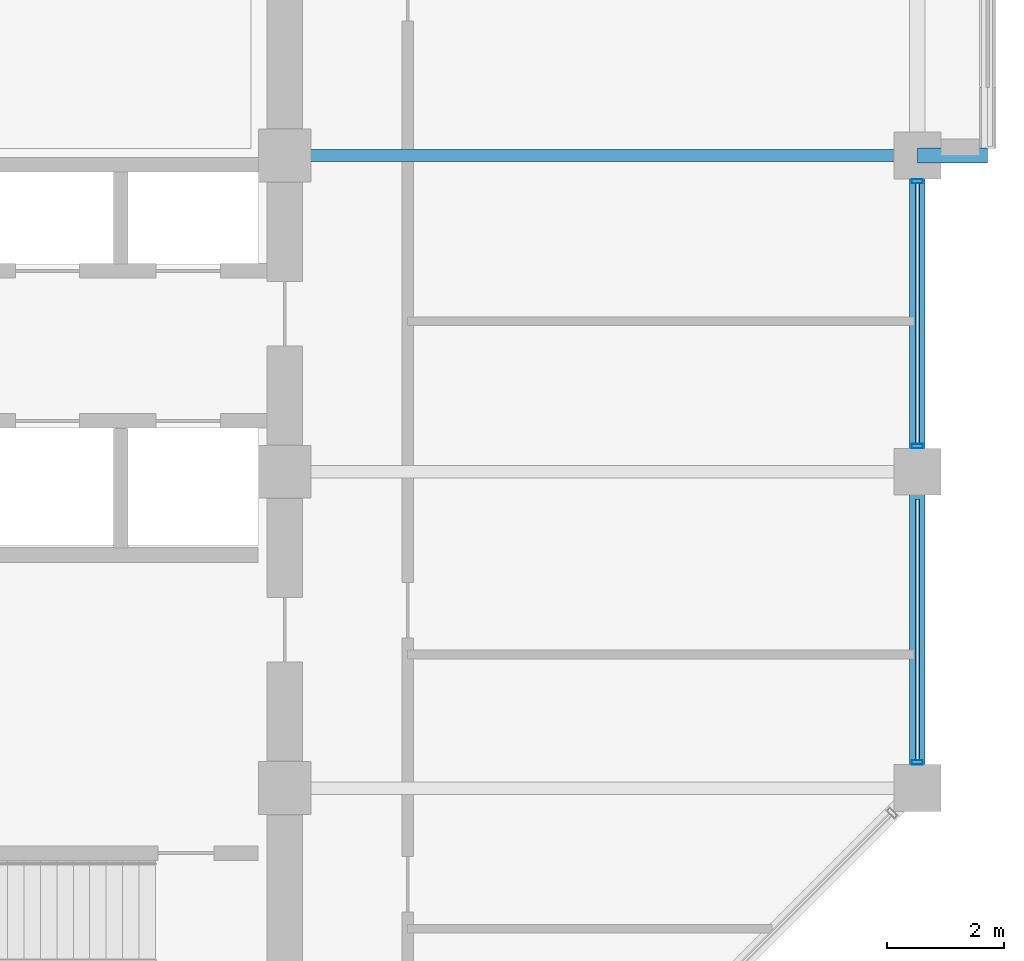
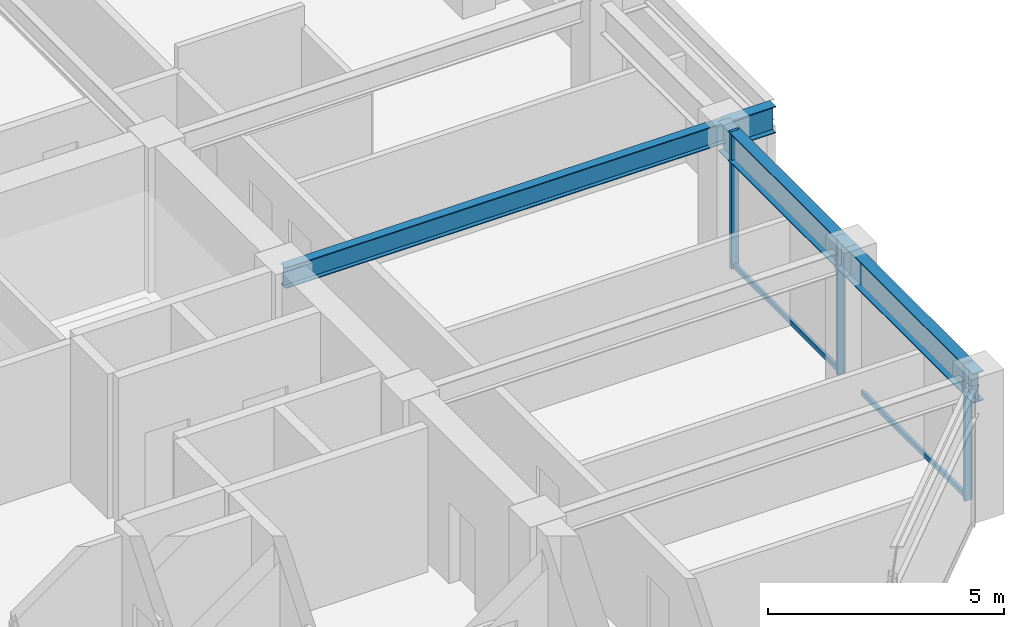
# One storey, part 12 of 30: 5 members, 4 beams, 1 element without a shape of its own.
"""IFC4 building model written with IfcOpenShell, lengths in metres."""

from ifc_helpers import new_model, si_unit, direction, frame, origin, origin_2d, place, context, subcontext, project, spatial, hollow_rectangle, i_section, extrude, material, layer, layer_set, material_profile, profile_set, type_object, element, aggregate, save


model = new_model("IFC4")

# Units and contexts
model_context = context("Model", 3, precision=1e-05, world=origin(), true_north=direction((0.0, 1.0)))
body_context = subcontext(model_context, "Body", "Model", "MODEL_VIEW")
ifc_project = project(units=[si_unit("LENGTHUNIT", "METRE"), si_unit("AREAUNIT", "SQUARE_METRE"), si_unit("VOLUMEUNIT", "CUBIC_METRE"), si_unit("PLANEANGLEUNIT", "RADIAN"), si_unit("MASSUNIT", "GRAM", prefix="KILO")], contexts=[model_context])

# Site, building, storey
site_placement = place(None, origin())
site = spatial("IfcSite", under=ifc_project, at=site_placement, CompositionType="ELEMENT")
building_placement = place(site_placement, origin())
building = spatial("IfcBuilding", under=site, at=building_placement, Name="Surkhivell Harbour Commons", CompositionType="ELEMENT")
storey_placement = place(building_placement, frame((0.0, 0.0, 231.0)))
storey = spatial("IfcBuildingStorey", under=building, at=storey_placement, Name="L60", CompositionType="ELEMENT", Elevation=231.0)

# Beams
ifc_material_1 = material(Name="Steel S460", Category="steel")
ifc_material_profile_1 = material_profile(ifc_material_1, i_section(OverallWidth=0.256103515625, OverallDepth=0.693115234375, WebThickness=0.014404296875, FlangeThickness=0.023681640625, at=origin_2d()), Name="UB686x254x170")
ifc_profile_set_1 = profile_set([ifc_material_profile_1], Name="Steel S460")
beam_type_1 = type_object("IfcBeamType", Name="BM-CNT-686", PredefinedType="BEAM", material=ifc_profile_set_1)
beam_1_placement = place(storey_placement, frame((21.60009765625, 5.39990234375, 3.223388671875), z_axis=(1.0, 0.0, 0.0), x_axis=(0.0, 1.0, 0.0)))
element("IfcBeam", 1, at=beam_1_placement, inside=storey, type_object=beam_type_1, Name="L60 Box Cantilever Outrigger (21.6,5.4)", PredefinedType="BEAM", context=body_context, shape_type="SweptSolid", body=[
    extrude(i_section(OverallWidth=0.256103515625, OverallDepth=0.693115234375, WebThickness=0.014404296875, FlangeThickness=0.023681640625, at=origin_2d()), origin(), (0.0, 0.0, 1.0), 1.199951171875),
])
ifc_material_2 = material(Name="Steel S355", Category="steel")
ifc_material_profile_2 = material_profile(ifc_material_2, i_section(OverallWidth=0.2119140625, OverallDepth=0.5439453125, WebThickness=0.0126953125, FlangeThickness=0.021240234375, at=origin_2d()), Name="UB533x210x122")
ifc_profile_set_2 = profile_set([ifc_material_profile_2], Name="Steel S355")
beam_type_2 = type_object("IfcBeamType", Name="BM-GRD-533A", PredefinedType="BEAM", material=ifc_profile_set_2)
beam_2_placement = place(storey_placement, frame((10.800048828125, 5.39990234375, 3.298095703125), z_axis=(1.0, 0.0, 0.0), x_axis=(0.0, 1.0, 0.0)))
element("IfcBeam", 2, at=beam_2_placement, inside=storey, type_object=beam_type_2, Name="L60 Floor Girder (10.8,5.4)", PredefinedType="BEAM", context=body_context, shape_type="SweptSolid", body=[
    extrude(i_section(OverallWidth=0.2119140625, OverallDepth=0.5439453125, WebThickness=0.0126953125, FlangeThickness=0.021240234375, at=origin_2d()), origin(), (0.0, 0.0, 1.0), 10.800048828125),
])
ifc_material_profile_3 = material_profile(ifc_material_2, i_section(OverallWidth=0.26806640625, OverallDepth=0.77001953125, WebThickness=0.015625, FlangeThickness=0.025390625, at=origin_2d()), Name="UB762x267x197")
ifc_profile_set_3 = profile_set([ifc_material_profile_3], Name="Steel S355")
beam_type_3 = type_object("IfcBeamType", Name="BM-SPN-762", PredefinedType="SPANDREL", material=ifc_profile_set_3)
for number, where, z_axis, x_axis, name in (
    (3, (21.60009765625, -5.39990234375, 3.18505859375), (0.0, 1.0, 0.0), (-1.0, 0.0, 0.0), "L60 Tube Spandrel (21.6,-5.4)"),
    (4, (21.60009765625, 0.0, 3.18505859375), (0.0, 1.0, 0.0), (-1.0, 0.0, 0.0), "L60 Tube Spandrel (21.6,0.0)"),
):
    element("IfcBeam", number, at=place(storey_placement, frame(where, z_axis=z_axis, x_axis=x_axis)), inside=storey, type_object=beam_type_3, Name=name, PredefinedType="SPANDREL", context=body_context, shape_type="SweptSolid", body=[
        extrude(i_section(OverallWidth=0.26806640625, OverallDepth=0.77001953125, WebThickness=0.015625, FlangeThickness=0.025390625, at=origin_2d()), origin(), (0.0, 0.0, 1.0), 5.39990234375),
    ])

# Curtain wall, members
ifc_material_3 = material(Name="Anodised pale-metal aluminium and insulated glazing", Category="aluminium")
ifc_layer = layer(ifc_material_3, 0.18994140625)
ifc_layer_set = layer_set([ifc_layer], Name="Anodised pale-metal aluminium and insulated glazing")
curtain_wall_type = type_object("IfcCurtainWallType", Name="CW-SYS-Z3", PredefinedType="NOTDEFINED", material=ifc_layer_set)
curtain_wall_placement = place(storey_placement, origin())
curtain_wall = element("IfcCurtainWall", 5, at=curtain_wall_placement, inside=storey, type_object=curtain_wall_type, Name="L60 Curtain Wall CW-L60-E02R1", PredefinedType="NOTDEFINED")
ifc_material_4 = material(Name="Anodised pale-metal aluminium alloy 6063-T6", Category="aluminium")
ifc_material_profile_4 = material_profile(ifc_material_4, hollow_rectangle(XDim=0.074951171875, YDim=0.18994140625, WallThickness=0.00390625, at=origin_2d()), Name="ALU-MULL-75x190")
ifc_profile_set_4 = profile_set([ifc_material_profile_4], Name="Anodised pale-metal aluminium alloy 6063-T6")
member_type_1 = type_object("IfcMemberType", Name="CWM-190", PredefinedType="MULLION", material=ifc_profile_set_4)
member_1_placement = place(storey_placement, frame((21.60009765625, -4.96044921875, 0.0), z_axis=(0.0, 0.0, 1.0), x_axis=(0.0, 1.0, 0.0)))
member_1 = element("IfcMember", 6, at=member_1_placement, type_object=member_type_1, Name="CW-Z3 mullion 1", PredefinedType="MULLION", context=body_context, shape_type="SweptSolid", body=[
    extrude(hollow_rectangle(XDim=0.074951171875, YDim=0.18994140625, WallThickness=0.00390625, at=origin_2d()), origin(), (0.0, 0.0, 1.0), 3.570068359375),
])
member_2_placement = place(storey_placement, frame((21.60009765625, 0.439453125, 0.0), z_axis=(0.0, 0.0, 1.0), x_axis=(0.0, 1.0, 0.0)))
member_2 = element("IfcMember", 7, at=member_2_placement, type_object=member_type_1, Name="CW-Z3 mullion 2", PredefinedType="MULLION", context=body_context, shape_type="SweptSolid", body=[
    extrude(hollow_rectangle(XDim=0.074951171875, YDim=0.18994140625, WallThickness=0.00390625, at=origin_2d()), origin(), (0.0, 0.0, 1.0), 3.570068359375),
])
member_3_placement = place(storey_placement, frame((21.60009765625, 4.96044921875, 0.0), z_axis=(0.0, 0.0, 1.0), x_axis=(0.0, 1.0, 0.0)))
member_3 = element("IfcMember", 8, at=member_3_placement, type_object=member_type_1, Name="CW-Z3 mullion 3", PredefinedType="MULLION", context=body_context, shape_type="SweptSolid", body=[
    extrude(hollow_rectangle(XDim=0.074951171875, YDim=0.18994140625, WallThickness=0.00390625, at=origin_2d()), origin(), (0.0, 0.0, 1.0), 3.570068359375),
])
ifc_material_5 = material(Name="Champagne anodised aluminium alloy 6063-T6", Category="aluminium")
ifc_material_profile_5 = material_profile(ifc_material_5, hollow_rectangle(XDim=0.070068359375, YDim=0.1298828125, WallThickness=0.00341796875, at=origin_2d()), Name="ALU-TRAN-70x130")
ifc_profile_set_5 = profile_set([ifc_material_profile_5], Name="Champagne anodised aluminium alloy 6063-T6")
member_type_2 = type_object("IfcMemberType", Name="CWT-130", PredefinedType="USERDEFINED", material=ifc_profile_set_5)
member_4_placement = place(storey_placement, frame((21.60009765625, -4.923095703125, 0.06494140625), z_axis=(0.0, 1.0, 0.0), x_axis=(-1.0, 0.0, 0.0)))
member_4 = element("IfcMember", 9, at=member_4_placement, type_object=member_type_2, Name="CW-Z3 transom 1.1", ObjectType="TRANSOM", PredefinedType="USERDEFINED", context=body_context, shape_type="SweptSolid", body=[
    extrude(hollow_rectangle(XDim=0.070068359375, YDim=0.1298828125, WallThickness=0.00341796875, at=origin_2d()), origin(), (0.0, 0.0, 1.0), 4.446044921875),
])
member_5_placement = place(storey_placement, frame((21.60009765625, 0.47705078125, 0.06494140625), z_axis=(0.0, 1.0, 0.0), x_axis=(-1.0, 0.0, 0.0)))
member_5 = element("IfcMember", 10, at=member_5_placement, type_object=member_type_2, Name="CW-Z3 transom 2.1", ObjectType="TRANSOM", PredefinedType="USERDEFINED", context=body_context, shape_type="SweptSolid", body=[
    extrude(hollow_rectangle(XDim=0.070068359375, YDim=0.1298828125, WallThickness=0.00341796875, at=origin_2d()), origin(), (0.0, 0.0, 1.0), 4.446044921875),
])
aggregate(curtain_wall, [member_1, member_4, member_2, member_3, member_5])

save(model, "model.ifc")
